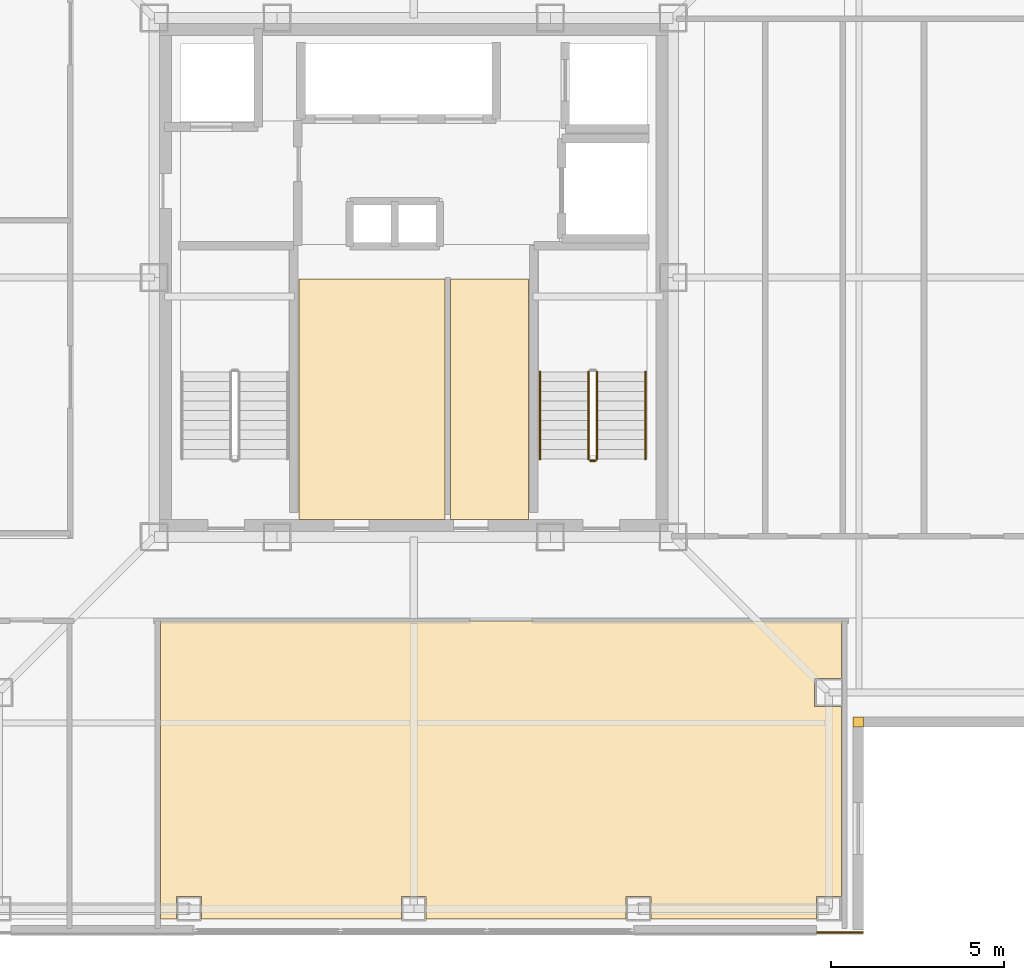
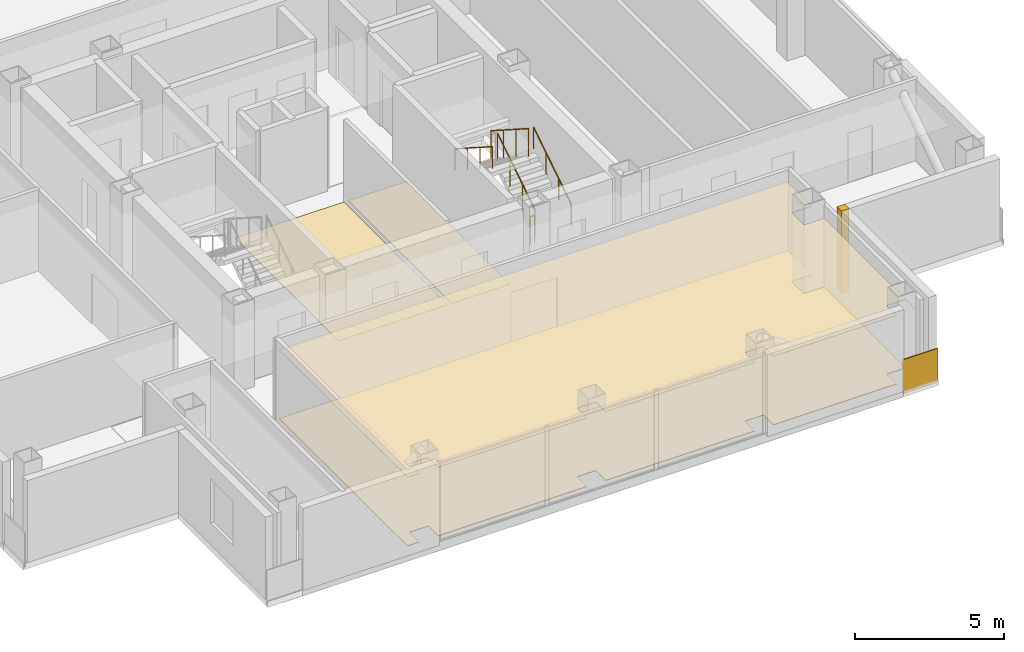
# One storey, part 12 of 16: 6 coverings, 5 railings.
"""IFC4 building model written with IfcOpenShell, lengths in metres."""

from ifc_helpers import new_model, si_unit, direction, frame, frame_2d, origin, origin_2d, place, context, subcontext, project, spatial, polyline, rectangle, circle, outline, extrude, material, layer, layer_set, type_object, element, save


model = new_model("IFC4")

# Units and contexts
model_context = context("Model", 3, precision=1e-05, world=origin(), true_north=direction((0.0, 1.0)))
body_context = subcontext(model_context, "Body", "Model", "MODEL_VIEW")
ifc_project = project(units=[si_unit("LENGTHUNIT", "METRE"), si_unit("AREAUNIT", "SQUARE_METRE"), si_unit("VOLUMEUNIT", "CUBIC_METRE"), si_unit("PLANEANGLEUNIT", "RADIAN"), si_unit("MASSUNIT", "GRAM", prefix="KILO")], contexts=[model_context])

# Site, building, storey
site_placement = place(None, origin())
site = spatial("IfcSite", under=ifc_project, at=site_placement, CompositionType="ELEMENT")
building_placement = place(site_placement, origin())
building = spatial("IfcBuilding", under=site, at=building_placement, Name="Trevonay Congress Spire", CompositionType="ELEMENT")
storey_placement = place(building_placement, frame((0.0, 0.0, 257.60009765625)))
storey = spatial("IfcBuildingStorey", under=building, at=storey_placement, Name="L67", CompositionType="ELEMENT", Elevation=257.60009765625)

# Coverings
ifc_material_1 = material(Name="Acoustic Mineral Fibre Board", Category="gypsum")
ifc_layer_1 = layer(ifc_material_1, 0.02490234375, Name="Acoustic Mineral Fibre Board")
ifc_layer_set_1 = layer_set([ifc_layer_1], Name="Acoustic Mineral Fibre Board")
covering_type_1 = type_object("IfcCoveringType", Name="COV-CEIL-ACOUSTIC", PredefinedType="CEILING", material=ifc_layer_set_1)
covering_1_placement = place(storey_placement, frame((0.0, 0.0, 2.809814453125)))
element("IfcCovering", 1, at=covering_1_placement, inside=storey, type_object=covering_type_1, Name="L67 State Panoramic Fine-Dining Restaurant acoustic suspended ceiling", PredefinedType="CEILING", context=body_context, shape_type="SweptSolid", body=[
    extrude(outline(polyline([(-7.320068359375, -18.550048828125), (-7.320068359375, -9.929931640625), (12.3701171875, -9.929931640625), (12.3701171875, -11.590087890625), (11.590087890625, -11.590087890625), (11.590087890625, -12.409912109375), (12.3701171875, -12.409912109375), (12.3701171875, -18.550048828125), (12.360107421875, -18.550048828125), (12.360107421875, -17.889892578125), (11.639892578125, -17.889892578125), (11.639892578125, -18.550048828125), (6.860107421875, -18.550048828125), (6.860107421875, -17.889892578125), (6.139892578125, -17.889892578125), (6.139892578125, -18.550048828125), (0.360107421875, -18.550048828125), (0.360107421875, -17.889892578125), (-0.360107421875, -17.889892578125), (-0.360107421875, -18.550048828125), (-6.139892578125, -18.550048828125), (-6.139892578125, -17.889892578125), (-6.860107421875, -17.889892578125), (-6.860107421875, -18.550048828125), (-7.320068359375, -18.550048828125)])), origin(), (0.0, 0.0, 1.0), 0.025146484375),
])
ifc_material_2 = material(Name="Polished Granite Floor Tile", Category="masonry")
ifc_layer_2 = layer(ifc_material_2, 0.02001953125, Name="Polished Granite Floor Tile")
ifc_layer_set_2 = layer_set([ifc_layer_2], Name="Polished Granite Floor Tile")
covering_type_2 = type_object("IfcCoveringType", Name="COV-FLOOR-STONE", PredefinedType="FLOORING", material=ifc_layer_set_2)
covering_2_placement = place(storey_placement, origin())
element("IfcCovering", 2, at=covering_2_placement, inside=storey, type_object=covering_type_2, Name="L67 Translation Equipment Hub floor finish", PredefinedType="FLOORING", context=body_context, shape_type="SweptSolid", body=[
    extrude(outline(polyline([(-3.320068359375, -7.0), (0.89990234375, -7.0), (0.89990234375, -0.050048828125), (-3.320068359375, -0.050048828125), (-3.320068359375, -7.0)])), origin(), (0.0, 0.0, 1.0), 0.02001953125),
])
covering_3_placement = place(storey_placement, origin())
element("IfcCovering", 3, at=covering_3_placement, inside=storey, type_object=covering_type_2, Name="L67 Floor Supplies Store floor finish", PredefinedType="FLOORING", context=body_context, shape_type="SweptSolid", body=[
    extrude(outline(polyline([(1.06005859375, -7.0), (3.320068359375, -7.0), (3.320068359375, -0.050048828125), (1.06005859375, -0.050048828125), (1.06005859375, -7.0)])), origin(), (0.0, 0.0, 1.0), 0.02001953125),
])
covering_4_placement = place(storey_placement, origin())
element("IfcCovering", 4, at=covering_4_placement, inside=storey, type_object=covering_type_2, Name="L67 State Panoramic Fine-Dining Restaurant floor finish", PredefinedType="FLOORING", context=body_context, shape_type="SweptSolid", body=[
    extrude(outline(polyline([(-7.320068359375, -18.550048828125), (-7.320068359375, -9.929931640625), (12.3701171875, -9.929931640625), (12.3701171875, -11.590087890625), (11.590087890625, -11.590087890625), (11.590087890625, -12.409912109375), (12.3701171875, -12.409912109375), (12.3701171875, -18.550048828125), (12.360107421875, -18.550048828125), (12.360107421875, -17.889892578125), (11.639892578125, -17.889892578125), (11.639892578125, -18.550048828125), (6.860107421875, -18.550048828125), (6.860107421875, -17.889892578125), (6.139892578125, -17.889892578125), (6.139892578125, -18.550048828125), (0.360107421875, -18.550048828125), (0.360107421875, -17.889892578125), (-0.360107421875, -17.889892578125), (-0.360107421875, -18.550048828125), (-6.139892578125, -18.550048828125), (-6.139892578125, -17.889892578125), (-6.860107421875, -17.889892578125), (-6.860107421875, -18.550048828125), (-7.320068359375, -18.550048828125)])), origin(), (0.0, 0.0, 1.0), 0.02001953125),
])
ifc_material_3 = material(Name="Pale Anodised Aluminium EN AW-6063-T6", Category="aluminium")
ifc_layer_3 = layer(ifc_material_3, 0.0400390625, Name="Pale Anodised Aluminium EN AW-6063-T6")
ifc_layer_set_3 = layer_set([ifc_layer_3], Name="Pale Anodised Aluminium EN AW-6063-T6")
covering_type_3 = type_object("IfcCoveringType", Name="COV-SPANDREL-PALE-METAL", PredefinedType="CLADDING", material=ifc_layer_set_3)
covering_5_placement = place(storey_placement, origin())
element("IfcCovering", 5, at=covering_5_placement, inside=storey, type_object=covering_type_3, Name="L67 SE re-entrant notch corner closure trim", PredefinedType="CLADDING", context=body_context, shape_type="SweptSolid", body=[
    extrude(outline(polyline([(12.699951171875, -13.0), (13.0, -13.0), (13.0, -12.699951171875), (12.699951171875, -12.699951171875), (12.699951171875, -13.0)])), origin(), (0.0, 0.0, 1.0), 3.35986328125),
])
covering_6_placement = place(storey_placement, frame((11.64990234375, -18.93994140625, -0.150146484375), z_axis=(0.0, 0.0, 1.0), x_axis=(1.0, 0.0, 0.0)))
element("IfcCovering", 6, at=covering_6_placement, inside=storey, type_object=covering_type_3, Name="L67 SE corner pier spandrel cladding 2", PredefinedType="CLADDING", context=body_context, shape_type="SweptSolid", body=[
    extrude(rectangle(XDim=1.35009765625, YDim=0.0400390625, at=frame_2d((0.675048828125, 0.0))), origin(), (0.0, 0.0, 1.0), 1.400146484375),
])

# Railings
railing_type_1 = type_object("IfcRailingType", Name="RAL-STAIR-GUARD-110", PredefinedType="GUARDRAIL", material=ifc_material_3)
railing_1_placement = place(storey_placement, frame((5.300048828125, -5.25, 0.179931640625)))
element("IfcRailing", 7, at=railing_1_placement, inside=storey, type_object=railing_type_1, Name="L67 ST-2 stair guard 1", PredefinedType="GUARDRAIL", context=body_context, shape_type="SweptSolid", body=[
    extrude(circle(Radius=0.02392578125, at=origin_2d()), frame((0.0, 0.0, 1.1259765625), z_axis=(0.0, 0.841199657755, 0.540724639528), x_axis=(-1.0, 0.0, 0.0)), (0.0, 0.0, 1.0), 2.995849609375),
    extrude(circle(Radius=0.02099609375, at=origin_2d()), origin(), (0.0, 0.0, 1.0), 1.101806640625),
    extrude(circle(Radius=0.02099609375, at=origin_2d()), frame((0.0, 0.840087890625, 0.5400390625)), (0.0, 0.0, 1.0), 1.101806640625),
    extrude(circle(Radius=0.02099609375, at=origin_2d()), frame((0.0, 1.679931640625, 1.079833984375)), (0.0, 0.0, 1.0), 1.101806640625),
    extrude(circle(Radius=0.02099609375, at=origin_2d()), frame((0.0, 2.52001953125, 1.619873046875)), (0.0, 0.0, 1.0), 1.101806640625),
])
railing_2_placement = place(storey_placement, frame((5.050048828125, -2.72998046875, 1.97998046875)))
element("IfcRailing", 8, at=railing_2_placement, inside=storey, type_object=railing_type_1, Name="L67 ST-2 stair guard 3", PredefinedType="GUARDRAIL", context=body_context, shape_type="SweptSolid", body=[
    extrude(circle(Radius=0.02392578125, at=origin_2d()), frame((0.0, 0.0, 1.1259765625), z_axis=(0.0, -0.841199657755, 0.540724639528), x_axis=(1.0, 0.0, 0.0)), (0.0, 0.0, 1.0), 2.995849609375),
    extrude(circle(Radius=0.02099609375, at=origin_2d()), origin(), (0.0, 0.0, 1.0), 1.101806640625),
    extrude(circle(Radius=0.02099609375, at=origin_2d()), frame((0.0, -0.840087890625, 0.5400390625)), (0.0, 0.0, 1.0), 1.101806640625),
    extrude(circle(Radius=0.02099609375, at=origin_2d()), frame((0.0, -1.679931640625, 1.079833984375)), (0.0, 0.0, 1.0), 1.101806640625),
    extrude(circle(Radius=0.02099609375, at=origin_2d()), frame((0.0, -2.52001953125, 1.619873046875)), (0.0, 0.0, 1.0), 1.101806640625),
])
railing_3_placement = place(storey_placement, frame((5.25, -5.300048828125, 0.0)))
element("IfcRailing", 9, at=railing_3_placement, inside=storey, type_object=railing_type_1, Name="L67 ST-2 stair guard 4", PredefinedType="GUARDRAIL", context=body_context, shape_type="SweptSolid", body=[
    extrude(circle(Radius=0.02392578125, at=origin_2d()), frame((0.0, 0.0, 1.1259765625), z_axis=(-1.0, 0.0, 0.0), x_axis=(0.0, -1.0, 0.0)), (0.0, 0.0, 1.0), 0.14990234375),
    extrude(circle(Radius=0.02099609375, at=origin_2d()), origin(), (0.0, 0.0, 1.0), 1.101806640625),
    extrude(circle(Radius=0.02099609375, at=origin_2d()), frame((-0.14990234375, 0.0, 0.0)), (0.0, 0.0, 1.0), 1.101806640625),
])
railing_type_2 = type_object("IfcRailingType", Name="RAL-STAIR-HANDRAIL", PredefinedType="HANDRAIL", material=ifc_material_3)
railing_4_placement = place(storey_placement, frame((6.699951171875, -5.25, 0.179931640625)))
element("IfcRailing", 10, at=railing_4_placement, inside=storey, type_object=railing_type_2, Name="L67 ST-2 stair handrail 1", PredefinedType="HANDRAIL", context=body_context, shape_type="SweptSolid", body=[
    extrude(circle(Radius=0.02392578125, at=origin_2d()), frame((0.0, 0.0, 0.8759765625), z_axis=(0.0, 0.841199657755, 0.540724639528), x_axis=(-1.0, 0.0, 0.0)), (0.0, 0.0, 1.0), 2.995849609375),
    extrude(circle(Radius=0.02099609375, at=origin_2d()), origin(), (0.0, 0.0, 1.0), 0.851806640625),
    extrude(circle(Radius=0.02099609375, at=origin_2d()), frame((0.0, 0.840087890625, 0.5400390625)), (0.0, 0.0, 1.0), 0.851806640625),
    extrude(circle(Radius=0.02099609375, at=origin_2d()), frame((0.0, 1.679931640625, 1.079833984375)), (0.0, 0.0, 1.0), 0.851806640625),
    extrude(circle(Radius=0.02099609375, at=origin_2d()), frame((0.0, 2.52001953125, 1.619873046875)), (0.0, 0.0, 1.0), 0.851806640625),
])
railing_5_placement = place(storey_placement, frame((3.64990234375, -2.72998046875, 1.97998046875)))
element("IfcRailing", 11, at=railing_5_placement, inside=storey, type_object=railing_type_2, Name="L67 ST-2 stair handrail 2", PredefinedType="HANDRAIL", context=body_context, shape_type="SweptSolid", body=[
    extrude(circle(Radius=0.02392578125, at=origin_2d()), frame((0.0, 0.0, 0.8759765625), z_axis=(0.0, -0.841199657755, 0.540724639528), x_axis=(1.0, 0.0, 0.0)), (0.0, 0.0, 1.0), 2.995849609375),
    extrude(circle(Radius=0.02099609375, at=origin_2d()), origin(), (0.0, 0.0, 1.0), 0.851806640625),
    extrude(circle(Radius=0.02099609375, at=origin_2d()), frame((0.0, -0.840087890625, 0.5400390625)), (0.0, 0.0, 1.0), 0.851806640625),
    extrude(circle(Radius=0.02099609375, at=origin_2d()), frame((0.0, -1.679931640625, 1.079833984375)), (0.0, 0.0, 1.0), 0.851806640625),
    extrude(circle(Radius=0.02099609375, at=origin_2d()), frame((0.0, -2.52001953125, 1.619873046875)), (0.0, 0.0, 1.0), 0.851806640625),
])

save(model, "model.ifc")
